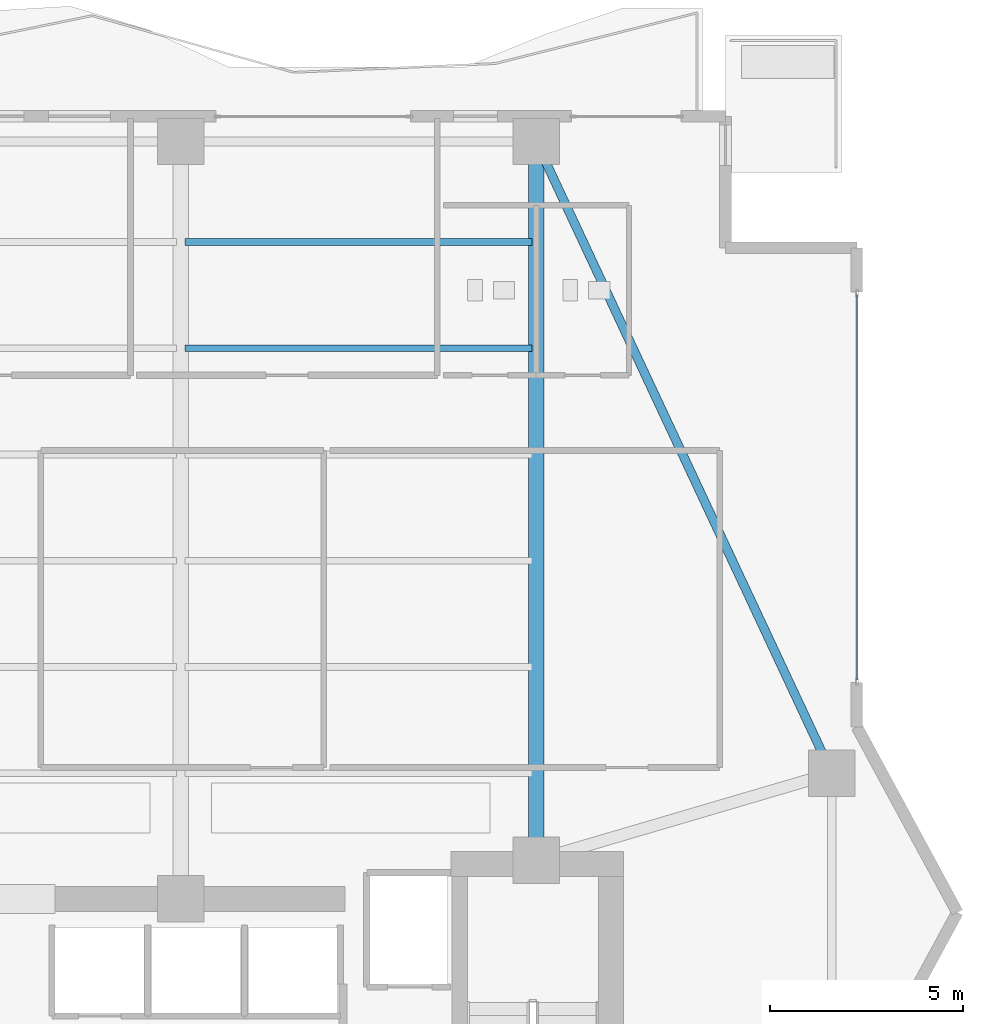
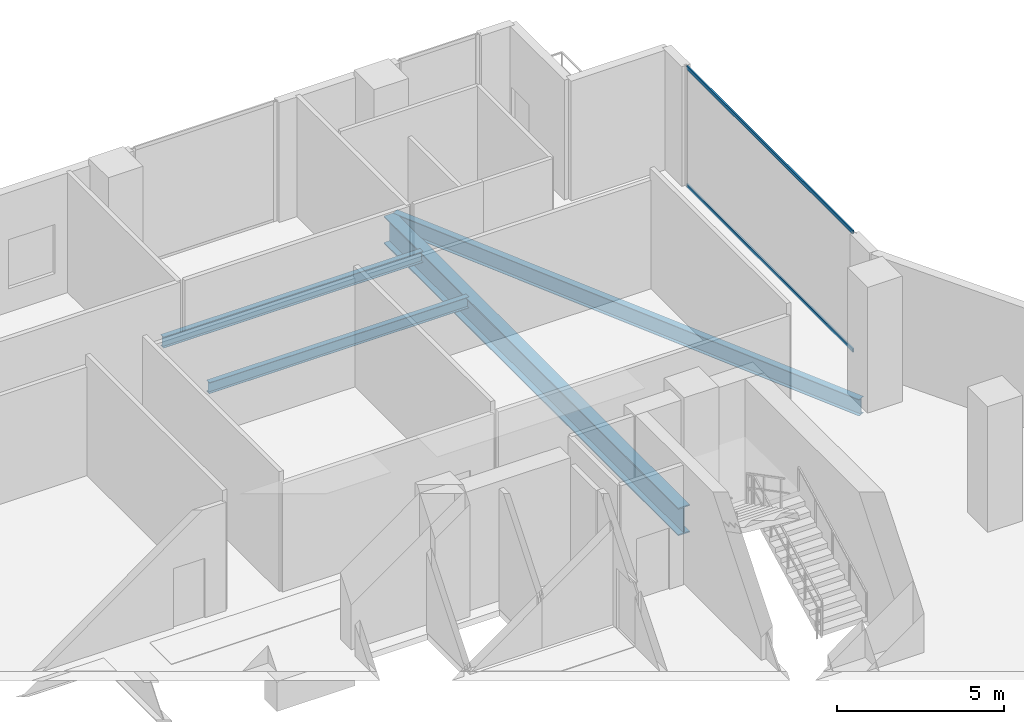
# One storey, part 20 of 31: 4 beams, 2 members, 1 element without a shape of its own.
"""IFC4 building model written with IfcOpenShell, lengths in metres."""

from ifc_helpers import new_model, si_unit, direction, frame, origin, origin_2d, place, context, subcontext, project, spatial, hollow_rectangle, i_section, extrude, material, layer, layer_set, material_profile, profile_set, type_object, element, aggregate, save


model = new_model("IFC4")

# Units and contexts
model_context = context("Model", 3, precision=1e-05, world=origin(), true_north=direction((0.0, 1.0)))
body_context = subcontext(model_context, "Body", "Model", "MODEL_VIEW")
ifc_project = project(units=[si_unit("LENGTHUNIT", "METRE"), si_unit("AREAUNIT", "SQUARE_METRE"), si_unit("VOLUMEUNIT", "CUBIC_METRE"), si_unit("PLANEANGLEUNIT", "RADIAN"), si_unit("MASSUNIT", "GRAM", prefix="KILO")], contexts=[model_context])

# Site, building, storey
site_placement = place(None, origin())
site = spatial("IfcSite", under=ifc_project, at=site_placement, CompositionType="ELEMENT")
building_placement = place(site_placement, origin())
building = spatial("IfcBuilding", under=site, at=building_placement, Name="Zuhayl Quay Hotel", CompositionType="ELEMENT")
storey_placement = place(building_placement, frame((0.0, 0.0, 172.800048828125)))
storey = spatial("IfcBuildingStorey", under=building, at=storey_placement, Name="L43", CompositionType="ELEMENT", Elevation=172.800048828125)

# Beams
ifc_material_1 = material(Name="Steel ASTM A992 Grade 50", Category="steel")
ifc_material_profile_1 = material_profile(ifc_material_1, i_section(OverallWidth=0.22802734375, OverallDepth=0.60693359375, WebThickness=0.01123046875, FlangeThickness=0.017333984375, at=origin_2d()), Name="W24X76")
ifc_profile_set_1 = profile_set([ifc_material_profile_1], Name="Steel ASTM A992 Grade 50")
beam_type_1 = type_object("IfcBeamType", Name="BM_B3_W24X76", PredefinedType="BEAM", material=ifc_profile_set_1)
beam_1_placement = place(storey_placement, frame((21.238037109375, 17.052978515625, -0.5234375), z_axis=(-0.423792164429, 0.905759461098, 0.0), x_axis=(-0.905759461098, -0.423792164429, 0.0)))
element("IfcBeam", 1, at=beam_1_placement, inside=storey, type_object=beam_type_1, Name="L43 Floor Beam RG_L43_06", PredefinedType="BEAM", context=body_context, shape_type="SweptSolid", body=[
    extrude(i_section(OverallWidth=0.22802734375, OverallDepth=0.60693359375, WebThickness=0.01123046875, FlangeThickness=0.017333984375, at=origin_2d()), origin(), (0.0, 0.0, 1.0), 17.051025390625),
])
ifc_material_profile_2 = material_profile(ifc_material_1, i_section(OverallWidth=0.177978515625, OverallDepth=0.406005859375, WebThickness=0.0078125, FlangeThickness=0.0126953125, at=origin_2d()), Name="W16X40")
ifc_profile_set_2 = profile_set([ifc_material_profile_2], Name="Steel ASTM A992 Grade 50")
beam_type_2 = type_object("IfcBeamType", Name="BM_J2B_W16X40", PredefinedType="JOIST", material=ifc_profile_set_2)
for number, where, z_axis, x_axis, name in (
    (2, (4.7060546875, 27.60009765625, -0.423095703125), (1.0, 0.0, 0.0), (0.0, 1.0, 0.0), "L43 Floor Beam FJ_L43_5_3"),
    (3, (4.7060546875, 30.35009765625, -0.423095703125), (1.0, 0.0, 0.0), (0.0, 1.0, 0.0), "L43 Floor Beam FJ_L43_6_3"),
):
    element("IfcBeam", number, at=place(storey_placement, frame(where, z_axis=z_axis, x_axis=x_axis)), inside=storey, type_object=beam_type_2, Name=name, PredefinedType="JOIST", context=body_context, shape_type="SweptSolid", body=[
        extrude(i_section(OverallWidth=0.177978515625, OverallDepth=0.406005859375, WebThickness=0.0078125, FlangeThickness=0.0126953125, at=origin_2d()), origin(), (0.0, 0.0, 1.0), 8.988037109375),
    ])
ifc_material_profile_3 = material_profile(ifc_material_1, i_section(OverallWidth=0.40087890625, OverallDepth=1.010986328125, WebThickness=0.023681640625, FlangeThickness=0.0419921875, at=origin_2d()), Name="W40X297")
ifc_profile_set_3 = profile_set([ifc_material_profile_3], Name="Steel ASTM A992 Grade 50")
beam_type_3 = type_object("IfcBeamType", Name="BM_TG2_W40X297", PredefinedType="BEAM", material=ifc_profile_set_3)
beam_2_placement = place(storey_placement, frame((13.800048828125, 14.800048828125, -0.7255859375), z_axis=(0.0, 1.0, 0.0), x_axis=(-1.0, 0.0, 0.0)))
element("IfcBeam", 4, at=beam_2_placement, inside=storey, type_object=beam_type_3, Name="L43 Floor Beam FG_N_L43_4", PredefinedType="BEAM", context=body_context, shape_type="SweptSolid", body=[
    extrude(i_section(OverallWidth=0.40087890625, OverallDepth=1.010986328125, WebThickness=0.023681640625, FlangeThickness=0.0419921875, at=origin_2d()), origin(), (0.0, 0.0, 1.0), 17.64990234375),
])

# Curtain wall, members
ifc_material_2 = material(Name="Anodised Aluminium 6063-T6", Category="aluminium")
ifc_layer = layer(ifc_material_2, 0.175048828125, Name="Anodised Aluminium 6063-T6", Category="aluminium")
ifc_layer_set = layer_set([ifc_layer], Name="Anodised Aluminium 6063-T6")
curtain_wall_type = type_object("IfcCurtainWallType", Name="CW_SYS_Z3", PredefinedType="USERDEFINED", material=ifc_layer_set)
curtain_wall_placement = place(storey_placement, origin())
curtain_wall = element("IfcCurtainWall", 5, at=curtain_wall_placement, inside=storey, type_object=curtain_wall_type, Name="L43 Curtain Wall ENV_L43_E11_CW1", ObjectType="UNITISED CURTAIN WALL", PredefinedType="USERDEFINED")
ifc_material_3 = material(Name="Black-anodised aluminium 6063-T6", Category="aluminium")
ifc_material_profile_4 = material_profile(ifc_material_3, hollow_rectangle(XDim=0.054931640625, YDim=0.1298828125, WallThickness=0.0029296875, at=origin_2d()), Name="ALU130X55")
ifc_profile_set_4 = profile_set([ifc_material_profile_4], Name="Black-anodised aluminium 6063-T6")
member_type = type_object("IfcMemberType", Name="MB_CW_TRN_130", PredefinedType="USERDEFINED", material=ifc_profile_set_4)
member_1_placement = place(storey_placement, frame((22.10009765625, 28.985107421875, 0.02734375), z_axis=(0.0, -1.0, 0.0), x_axis=(1.0, 0.0, 0.0)))
member_1 = element("IfcMember", 6, at=member_1_placement, type_object=member_type, Name="CW-Z3 transom 1.1", ObjectType="TRANSOM", PredefinedType="USERDEFINED", context=body_context, shape_type="SweptSolid", body=[
    extrude(hollow_rectangle(XDim=0.054931640625, YDim=0.1298828125, WallThickness=0.0029296875, at=origin_2d()), origin(), (0.0, 0.0, 1.0), 9.97021484375),
])
member_2_placement = place(storey_placement, frame((22.10009765625, 28.985107421875, 4.3525390625), z_axis=(0.0, -1.0, 0.0), x_axis=(1.0, 0.0, 0.0)))
member_2 = element("IfcMember", 7, at=member_2_placement, type_object=member_type, Name="CW-Z3 transom 1.2", ObjectType="TRANSOM", PredefinedType="USERDEFINED", context=body_context, shape_type="SweptSolid", body=[
    extrude(hollow_rectangle(XDim=0.054931640625, YDim=0.1298828125, WallThickness=0.0029296875, at=origin_2d()), origin(), (0.0, 0.0, 1.0), 9.97021484375),
])
aggregate(curtain_wall, [member_1, member_2])

save(model, "model.ifc")
